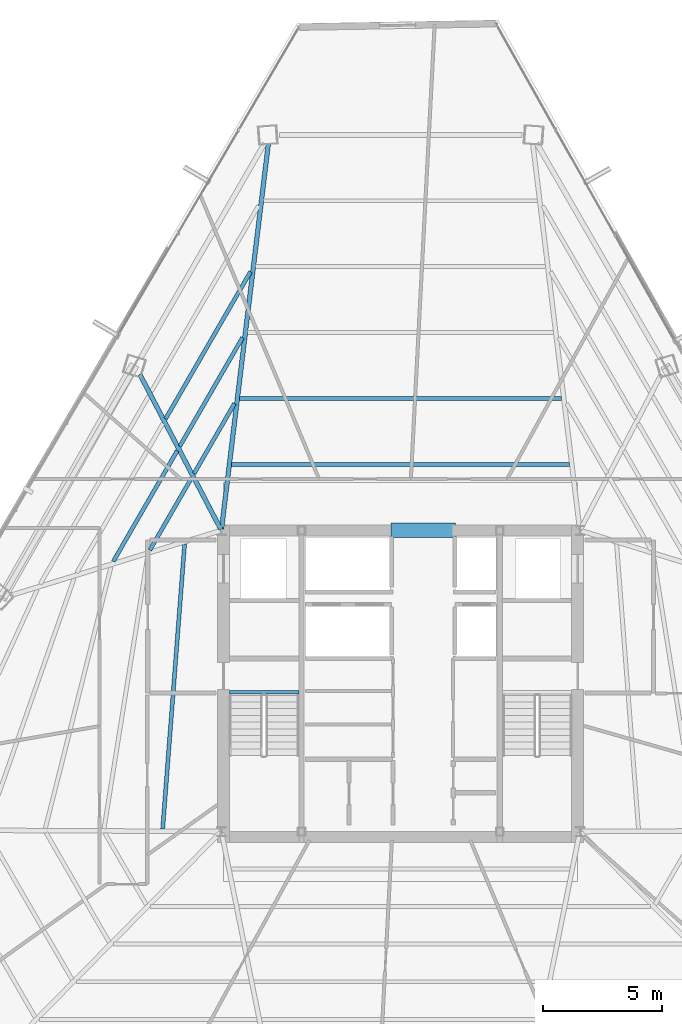
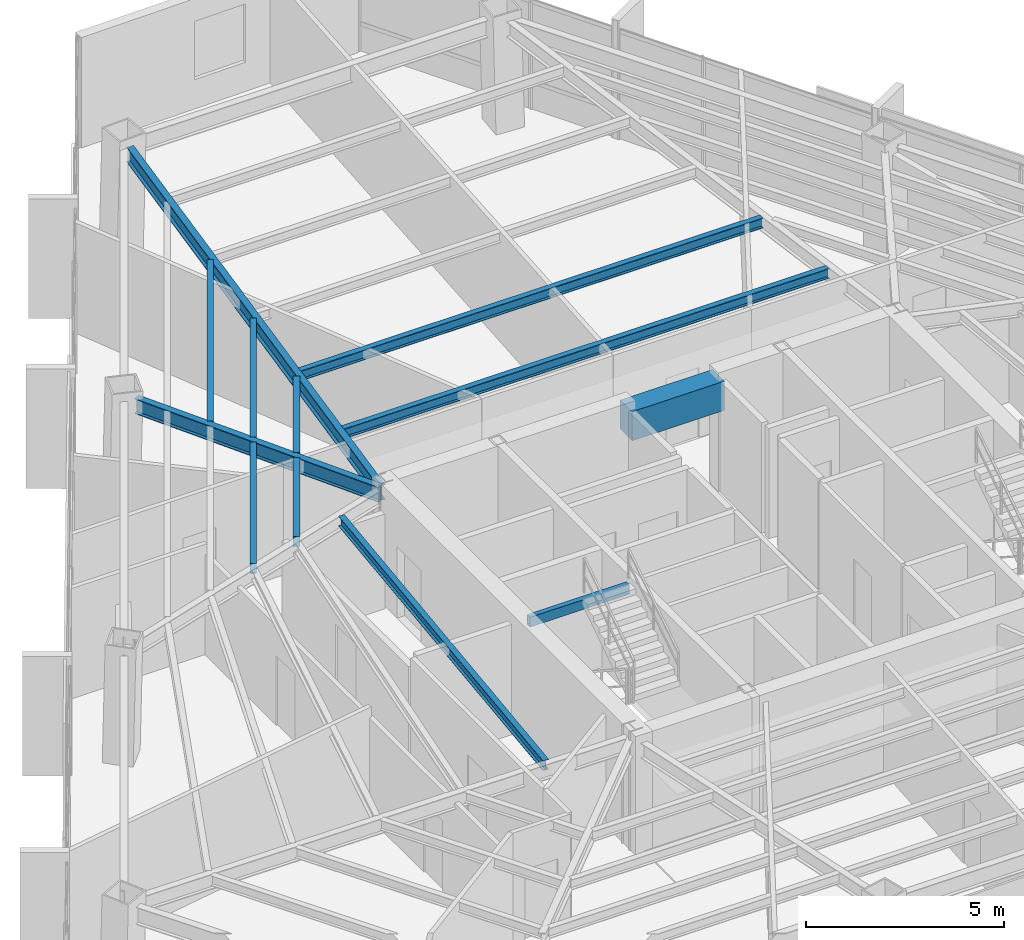
# One storey, part 17 of 42: 12 beams.
"""IFC4 building model written with IfcOpenShell, lengths in metres."""

from ifc_helpers import new_model, si_unit, direction, frame, origin, origin_2d, place, context, subcontext, project, spatial, rectangle, hollow_rectangle, i_section, extrude, source, transform, mapped, material, material_profile, profile_set, type_object, type_shapes, element, save


model = new_model("IFC4")

# Units and contexts
model_context = context("Model", 3, precision=1e-05, world=origin(), true_north=direction((0.0, 1.0)))
body_context = subcontext(model_context, "Body", "Model", "MODEL_VIEW")
ifc_project = project(units=[si_unit("LENGTHUNIT", "METRE"), si_unit("AREAUNIT", "SQUARE_METRE"), si_unit("VOLUMEUNIT", "CUBIC_METRE"), si_unit("PLANEANGLEUNIT", "RADIAN"), si_unit("MASSUNIT", "GRAM", prefix="KILO")], contexts=[model_context])

# Site, building, storey
site_placement = place(None, origin())
site = spatial("IfcSite", under=ifc_project, at=site_placement, CompositionType="ELEMENT")
building_placement = place(site_placement, origin())
building = spatial("IfcBuilding", under=site, at=building_placement, Name="Caelisora Broadcast Tower", CompositionType="ELEMENT")
storey_placement = place(building_placement, frame((0.0, 0.0, 184.050048828125)))
storey = spatial("IfcBuildingStorey", under=building, at=storey_placement, Name="L48", CompositionType="ELEMENT", Elevation=184.050048828125)

# Beams
ifc_material_1 = material(Name="Steel Grade 350 (AS/NZS 1163 C350L0)", Category="steel")
ifc_material_profile_1 = material_profile(ifc_material_1, hollow_rectangle(XDim=0.14990234375, YDim=0.300048828125, WallThickness=0.010009765625, at=origin_2d()), Name="Steel Grade 350 (AS/NZS 1163 C350L0)")
ifc_profile_set_1 = profile_set([ifc_material_profile_1], Name="Steel Grade 350 (AS/NZS 1163 C350L0)")
beam_type_1 = type_object("IfcBeamType", Name="SB05", PredefinedType="JOIST", material=ifc_profile_set_1)
shared_shape_1 = source(origin(), body_context, "Body", "SweptSolid", [
    extrude(hollow_rectangle(XDim=0.14990234375, YDim=0.300048828125, WallThickness=0.010009765625, at=origin_2d()), origin(), (0.0, 0.0, 1.0), 2.89990234375),
])
type_shapes(beam_type_1, [shared_shape_1])
beam_1_placement = place(storey_placement, frame((30.840087890625, 23.219970703125, 3.25), z_axis=(1.0, 0.0, 0.0), x_axis=(0.0, 1.0, 0.0)))
element("IfcBeam", 1, at=beam_1_placement, inside=storey, type_object=beam_type_1, Name="L48 beam SB05", PredefinedType="JOIST", context=body_context, shape_type="MappedRepresentation", body=[
    mapped(shared_shape_1, transform((0.0, 0.0, 0.0), scale=1.0)),
])
ifc_material_2 = material(Name="Concrete 50 MPa (AS 3600 S50)", Category="concrete")
ifc_material_profile_2 = material_profile(ifc_material_2, rectangle(XDim=0.60009765625, YDim=0.89990234375, at=origin_2d()), Name="Concrete 50 MPa (AS 3600 S50)")
ifc_profile_set_2 = profile_set([ifc_material_profile_2], Name="Concrete 50 MPa (AS 3600 S50)")
beam_type_2 = type_object("IfcBeamType", Name="CB02", PredefinedType="LINTEL", material=ifc_profile_set_2)
shared_shape_2 = source(origin(), body_context, "Body", "SweptSolid", [
    extrude(rectangle(XDim=0.60009765625, YDim=0.89990234375, at=origin_2d()), origin(), (0.0, 0.0, 1.0), 2.699951171875),
])
type_shapes(beam_type_2, [shared_shape_2])
beam_2_placement = place(storey_placement, frame((37.60009765625, 30.0, 2.949951171875), z_axis=(1.0, 0.0, 0.0), x_axis=(0.0, 1.0, 0.0)))
element("IfcBeam", 2, at=beam_2_placement, inside=storey, type_object=beam_type_2, Name="L48 beam CB02", PredefinedType="LINTEL", context=body_context, shape_type="MappedRepresentation", body=[
    mapped(shared_shape_2, transform((0.0, 0.0, 0.0), scale=1.0)),
])
ifc_material_3 = material(Name="Steel Grade 350 (AS/NZS 3679.1)", Category="steel")
ifc_material_profile_3 = material_profile(ifc_material_3, i_section(OverallWidth=0.166015625, OverallDepth=0.30712890625, WebThickness=0.006591796875, FlangeThickness=0.01171875, at=origin_2d()), Name="Steel Grade 350 (AS/NZS 3679.1)")
ifc_profile_set_3 = profile_set([ifc_material_profile_3], Name="Steel Grade 350 (AS/NZS 3679.1)")
beam_type_3 = type_object("IfcBeamType", Name="SB03", PredefinedType="JOIST", material=ifc_profile_set_3)
shared_shape_3 = source(origin(), body_context, "Body", "SweptSolid", [
    extrude(i_section(OverallWidth=0.166015625, OverallDepth=0.30712890625, WebThickness=0.006591796875, FlangeThickness=0.01171875, at=origin_2d()), origin(), (0.0, 0.0, 1.0), 3.380126953125),
])
beam_3_placement = place(storey_placement, frame((31.050537109375, 35.3095703125, 3.246337890625), z_axis=(-0.499976720371, -0.866038843867, 0.0), x_axis=(0.866038843867, -0.499976720371, 0.0)))
element("IfcBeam", 3, at=beam_3_placement, inside=storey, type_object=beam_type_3, Name="L48 beam SB03", PredefinedType="JOIST", context=body_context, shape_type="MappedRepresentation", body=[
    mapped(shared_shape_3, transform((0.0, 0.0, 0.0), scale=1.0)),
])
ifc_material_profile_4 = material_profile(ifc_material_3, i_section(OverallWidth=0.19091796875, OverallDepth=0.46044921875, WebThickness=0.010009765625, FlangeThickness=0.01611328125, at=origin_2d()), Name="Steel Grade 350 (AS/NZS 3679.1)")
ifc_profile_set_4 = profile_set([ifc_material_profile_4], Name="Steel Grade 350 (AS/NZS 3679.1)")
beam_type_4 = type_object("IfcBeamType", Name="PG06", PredefinedType="BEAM", material=ifc_profile_set_4)
shared_shape_4 = source(origin(), body_context, "Body", "SweptSolid", [
    extrude(i_section(OverallWidth=0.19091796875, OverallDepth=0.46044921875, WebThickness=0.010009765625, FlangeThickness=0.01611328125, at=origin_2d()), origin(), (0.0, 0.0, 1.0), 16.239501953125),
])
beam_4_placement = place(storey_placement, frame((30.507080078125, 30.0595703125, 3.169677734375), z_axis=(0.12072016507, 0.992686577801, 0.0), x_axis=(-0.992686577801, 0.12072016507, 0.0)))
element("IfcBeam", 4, at=beam_4_placement, inside=storey, type_object=beam_type_4, Name="L48 beam PG06", PredefinedType="BEAM", context=body_context, shape_type="MappedRepresentation", body=[
    mapped(shared_shape_4, transform((0.0, 0.0, 0.0), scale=1.0)),
])
shared_shape_5 = source(origin(), body_context, "Body", "SweptSolid", [
    extrude(i_section(OverallWidth=0.19091796875, OverallDepth=0.46044921875, WebThickness=0.010009765625, FlangeThickness=0.01611328125, at=origin_2d()), origin(), (0.0, 0.0, 1.0), 7.30419921875),
])
type_shapes(beam_type_4, [shared_shape_4, shared_shape_5])
beam_5_placement = place(storey_placement, frame((30.47216796875, 30.05322265625, 3.169677734375), z_axis=(-0.462933788928, 0.886392862713, 0.0), x_axis=(-0.886392862713, -0.462933788928, 0.0)))
element("IfcBeam", 5, at=beam_5_placement, inside=storey, type_object=beam_type_4, Name="L48 beam PG06", PredefinedType="BEAM", context=body_context, shape_type="MappedRepresentation", body=[
    mapped(shared_shape_5, transform((0.0, 0.0, 0.0), scale=1.0)),
])
shared_shape_6 = source(origin(), body_context, "Body", "SweptSolid", [
    extrude(i_section(OverallWidth=0.166015625, OverallDepth=0.30712890625, WebThickness=0.006591796875, FlangeThickness=0.01171875, at=origin_2d()), origin(), (0.0, 0.0, 1.0), 14.142578125),
])
beam_6_placement = place(storey_placement, frame((45.0712890625, 32.759033203125, 3.246337890625), z_axis=(-1.0, 0.0, 0.0), x_axis=(0.0, -1.0, 0.0)))
element("IfcBeam", 6, at=beam_6_placement, inside=storey, type_object=beam_type_3, Name="L48 beam SB03", PredefinedType="JOIST", context=body_context, shape_type="MappedRepresentation", body=[
    mapped(shared_shape_6, transform((0.0, 0.0, 0.0), scale=1.0)),
])
shared_shape_7 = source(origin(), body_context, "Body", "SweptSolid", [
    extrude(i_section(OverallWidth=0.166015625, OverallDepth=0.30712890625, WebThickness=0.006591796875, FlangeThickness=0.01171875, at=origin_2d()), origin(), (0.0, 0.0, 1.0), 13.4716796875),
])
beam_7_placement = place(storey_placement, frame((44.73583984375, 35.517822265625, 3.246337890625), z_axis=(-1.0, 0.0, 0.0), x_axis=(0.0, -1.0, 0.0)))
element("IfcBeam", 7, at=beam_7_placement, inside=storey, type_object=beam_type_3, Name="L48 beam SB03", PredefinedType="JOIST", context=body_context, shape_type="MappedRepresentation", body=[
    mapped(shared_shape_7, transform((0.0, 0.0, 0.0), scale=1.0)),
])
shared_shape_8 = source(origin(), body_context, "Body", "SweptSolid", [
    extrude(i_section(OverallWidth=0.166015625, OverallDepth=0.30712890625, WebThickness=0.006591796875, FlangeThickness=0.01171875, at=origin_2d()), origin(), (0.0, 0.0, 1.0), 5.2451171875),
])
beam_8_placement = place(storey_placement, frame((31.385986328125, 38.068359375, 3.246337890625), z_axis=(-0.49999374744, -0.866029013672, 0.0), x_axis=(0.866029013672, -0.49999374744, 0.0)))
element("IfcBeam", 8, at=beam_8_placement, inside=storey, type_object=beam_type_3, Name="L48 beam SB03", PredefinedType="JOIST", context=body_context, shape_type="MappedRepresentation", body=[
    mapped(shared_shape_8, transform((0.0, 0.0, 0.0), scale=1.0)),
])
shared_shape_9 = source(origin(), body_context, "Body", "SweptSolid", [
    extrude(i_section(OverallWidth=0.166015625, OverallDepth=0.30712890625, WebThickness=0.006591796875, FlangeThickness=0.01171875, at=origin_2d()), origin(), (0.0, 0.0, 1.0), 7.11083984375),
])
beam_9_placement = place(storey_placement, frame((31.7216796875, 40.827392578125, 3.246337890625), z_axis=(-0.499997857848, -0.866026640553, 0.0), x_axis=(0.866026640553, -0.499997857848, 0.0)))
element("IfcBeam", 9, at=beam_9_placement, inside=storey, type_object=beam_type_3, Name="L48 beam SB03", PredefinedType="JOIST", context=body_context, shape_type="MappedRepresentation", body=[
    mapped(shared_shape_9, transform((0.0, 0.0, 0.0), scale=1.0)),
])
shared_shape_10 = source(origin(), body_context, "Body", "SweptSolid", [
    extrude(i_section(OverallWidth=0.166015625, OverallDepth=0.30712890625, WebThickness=0.006591796875, FlangeThickness=0.01171875, at=origin_2d()), origin(), (0.0, 0.0, 1.0), 3.4833984375),
])
beam_10_placement = place(storey_placement, frame((29.25048828125, 32.191650390625, 3.246337890625), z_axis=(-0.500013671143, -0.866017510603, 0.0), x_axis=(0.866017510603, -0.500013671143, 0.0)))
element("IfcBeam", 10, at=beam_10_placement, inside=storey, type_object=beam_type_3, Name="L48 beam SB03", PredefinedType="JOIST", context=body_context, shape_type="MappedRepresentation", body=[
    mapped(shared_shape_10, transform((0.0, 0.0, 0.0), scale=1.0)),
])
shared_shape_11 = source(origin(), body_context, "Body", "SweptSolid", [
    extrude(i_section(OverallWidth=0.166015625, OverallDepth=0.30712890625, WebThickness=0.006591796875, FlangeThickness=0.01171875, at=origin_2d()), origin(), (0.0, 0.0, 1.0), 5.348876953125),
])
beam_11_placement = place(storey_placement, frame((28.6533203125, 33.335205078125, 3.246337890625), z_axis=(-0.499977953809, -0.866038131785, 0.0), x_axis=(0.866038131785, -0.499977953809, 0.0)))
element("IfcBeam", 11, at=beam_11_placement, inside=storey, type_object=beam_type_3, Name="L48 beam SB03", PredefinedType="JOIST", context=body_context, shape_type="MappedRepresentation", body=[
    mapped(shared_shape_11, transform((0.0, 0.0, 0.0), scale=1.0)),
])
shared_shape_12 = source(origin(), body_context, "Body", "SweptSolid", [
    extrude(i_section(OverallWidth=0.166015625, OverallDepth=0.30712890625, WebThickness=0.006591796875, FlangeThickness=0.01171875, at=origin_2d()), origin(), (0.0, 0.0, 1.0), 11.959228515625),
])
type_shapes(beam_type_3, [shared_shape_3, shared_shape_6, shared_shape_7, shared_shape_8, shared_shape_9, shared_shape_10, shared_shape_11, shared_shape_12])
beam_12_placement = place(storey_placement, frame((28.96240234375, 29.4287109375, 3.246337890625), z_axis=(-0.076758943432, -0.997049680108, 0.0), x_axis=(0.997049680108, -0.076758943432, 0.0)))
element("IfcBeam", 12, at=beam_12_placement, inside=storey, type_object=beam_type_3, Name="L48 beam SB03", PredefinedType="JOIST", context=body_context, shape_type="MappedRepresentation", body=[
    mapped(shared_shape_12, transform((0.0, 0.0, 0.0), scale=1.0)),
])

save(model, "model.ifc")
